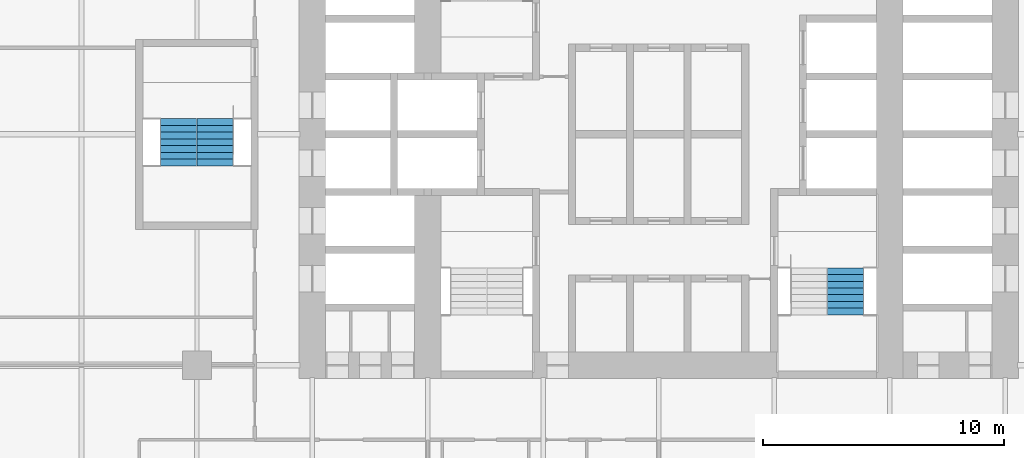
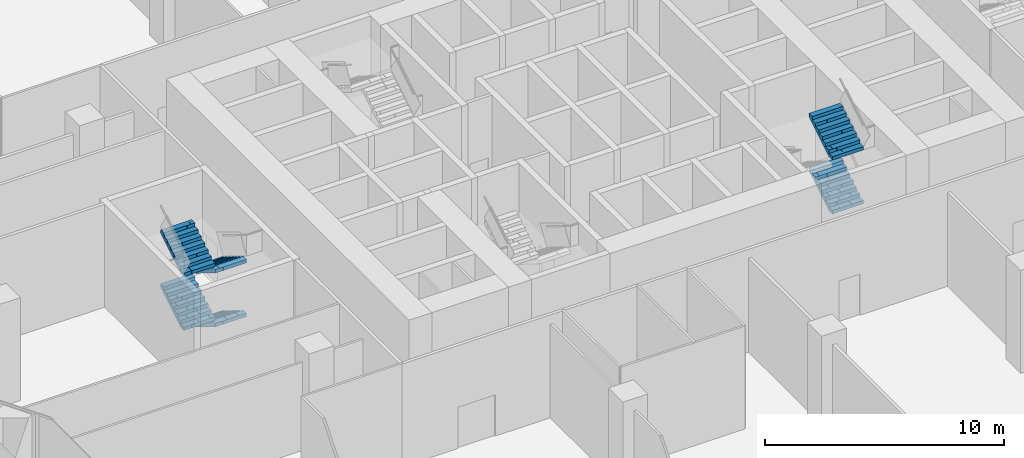
# One storey, part 25 of 30: 6 stair flights, 2 elements without a shape of their own.
"""IFC4 building model written with IfcOpenShell, lengths in metres."""

from ifc_helpers import new_model, si_unit, direction, frame, origin, place, context, subcontext, project, spatial, polyline, outline, extrude, material, type_object, element, aggregate, save


model = new_model("IFC4")

# Units and contexts
model_context = context("Model", 3, precision=1e-05, world=origin(), true_north=direction((0.0, 1.0)))
body_context = subcontext(model_context, "Body", "Model", "MODEL_VIEW")
ifc_project = project(units=[si_unit("LENGTHUNIT", "METRE"), si_unit("AREAUNIT", "SQUARE_METRE"), si_unit("VOLUMEUNIT", "CUBIC_METRE"), si_unit("PLANEANGLEUNIT", "RADIAN"), si_unit("MASSUNIT", "GRAM", prefix="KILO")], contexts=[model_context])

# Site, building, storey
site_placement = place(None, origin())
site = spatial("IfcSite", under=ifc_project, at=site_placement, CompositionType="ELEMENT")
building_placement = place(site_placement, origin())
building = spatial("IfcBuilding", under=site, at=building_placement, Name="Kolab Exchange Tower", CompositionType="ELEMENT")
storey_placement = place(building_placement, frame((0.0, 0.0, 38.89990234375)))
storey = spatial("IfcBuildingStorey", under=building, at=storey_placement, Name="L07", CompositionType="ELEMENT", Elevation=38.89990234375)

# Stair, stair flights
ifc_material = material(Name="Concrete C50/60", Category="concrete")
stair_type_1 = type_object("IfcStairType", Name="STAIR ST2 RISER 171.9", PredefinedType="DOUBLE_RETURN_STAIR", material=ifc_material)
stair_1_placement = place(storey_placement, origin())
stair_1 = element("IfcStair", 1, at=stair_1_placement, inside=storey, type_object=stair_type_1, Name="Stair 2", PredefinedType="DOUBLE_RETURN_STAIR")
stair_flight_type = type_object("IfcStairFlightType", Name="STAIR FLIGHT 1500 RISER 171.9", PredefinedType="STRAIGHT", material=ifc_material)
stair_flight_1_placement = place(storey_placement, frame((7.760009765625, -7.510009765625, 1.375), z_axis=(0.0, 0.0, 1.0), x_axis=(0.0, 1.0, 0.0)))
stair_flight_1 = element("IfcStairFlight", 2, at=stair_flight_1_placement, type_object=stair_flight_type, Name="ST2 flight 2", NumberOfRisers=8, NumberOfTreads=7, PredefinedType="STRAIGHT", RiserHeight=0.171875, TreadLength=0.28, context=body_context, shape_type="SweptSolid", body=[
    extrude(outline(polyline([(0.0, 0.0), (0.0, 0.171875), (0.280029296875, 0.171875), (0.280029296875, 0.34375), (0.56005859375, 0.34375), (0.56005859375, 0.515625), (0.840087890625, 0.515625), (0.840087890625, 0.6875), (1.1201171875, 0.6875), (1.1201171875, 0.859375), (1.39990234375, 0.859375), (1.39990234375, 1.03125), (1.679931640625, 1.03125), (1.679931640625, 1.203125), (1.9599609375, 1.203125), (1.9599609375, 1.375), (1.9599609375, 1.02734375), (0.28662109375, 0.0), (0.0, 0.0)])), frame((0.0, 0.75, 0.0), z_axis=(0.0, -1.0, 0.0), x_axis=(1.0, 0.0, 0.0)), (0.0, 0.0, 1.0), 0.185791015625),
    extrude(outline(polyline([(0.0, 0.0), (0.0, 0.171875), (0.280029296875, 0.171875), (0.280029296875, 0.34375), (0.56005859375, 0.34375), (0.56005859375, 0.515625), (0.840087890625, 0.515625), (0.840087890625, 0.6875), (1.1201171875, 0.6875), (1.1201171875, 0.859375), (1.39990234375, 0.859375), (1.39990234375, 1.03125), (1.679931640625, 1.03125), (1.679931640625, 1.203125), (1.9599609375, 1.203125), (1.9599609375, 1.375), (1.9599609375, 1.02734375), (0.28662109375, 0.0), (0.0, 0.0)])), frame((0.0, 0.562255859375, 0.0), z_axis=(0.0, -1.0, 0.0), x_axis=(1.0, 0.0, 0.0)), (0.0, 0.0, 1.0), 0.185791015625),
    extrude(outline(polyline([(0.0, 0.0), (0.0, 0.171875), (0.280029296875, 0.171875), (0.280029296875, 0.34375), (0.56005859375, 0.34375), (0.56005859375, 0.515625), (0.840087890625, 0.515625), (0.840087890625, 0.6875), (1.1201171875, 0.6875), (1.1201171875, 0.859375), (1.39990234375, 0.859375), (1.39990234375, 1.03125), (1.679931640625, 1.03125), (1.679931640625, 1.203125), (1.9599609375, 1.203125), (1.9599609375, 1.375), (1.9599609375, 1.02734375), (0.28662109375, 0.0), (0.0, 0.0)])), frame((0.0, 0.37451171875, 0.0), z_axis=(0.0, -1.0, 0.0), x_axis=(1.0, 0.0, 0.0)), (0.0, 0.0, 1.0), 0.185791015625),
    extrude(outline(polyline([(0.0, 0.0), (0.0, 0.171875), (0.280029296875, 0.171875), (0.280029296875, 0.34375), (0.56005859375, 0.34375), (0.56005859375, 0.515625), (0.840087890625, 0.515625), (0.840087890625, 0.6875), (1.1201171875, 0.6875), (1.1201171875, 0.859375), (1.39990234375, 0.859375), (1.39990234375, 1.03125), (1.679931640625, 1.03125), (1.679931640625, 1.203125), (1.9599609375, 1.203125), (1.9599609375, 1.375), (1.9599609375, 1.02734375), (0.28662109375, 0.0), (0.0, 0.0)])), frame((0.0, 0.186767578125, 0.0), z_axis=(0.0, -1.0, 0.0), x_axis=(1.0, 0.0, 0.0)), (0.0, 0.0, 1.0), 0.185791015625),
    extrude(outline(polyline([(0.0, 0.0), (0.0, 0.171875), (0.280029296875, 0.171875), (0.280029296875, 0.34375), (0.56005859375, 0.34375), (0.56005859375, 0.515625), (0.840087890625, 0.515625), (0.840087890625, 0.6875), (1.1201171875, 0.6875), (1.1201171875, 0.859375), (1.39990234375, 0.859375), (1.39990234375, 1.03125), (1.679931640625, 1.03125), (1.679931640625, 1.203125), (1.9599609375, 1.203125), (1.9599609375, 1.375), (1.9599609375, 1.02734375), (0.28662109375, 0.0), (0.0, 0.0)])), frame((0.0, -0.0009765625, 0.0), z_axis=(0.0, -1.0, 0.0), x_axis=(1.0, 0.0, 0.0)), (0.0, 0.0, 1.0), 0.185791015625),
    extrude(outline(polyline([(0.0, 0.0), (0.0, 0.171875), (0.280029296875, 0.171875), (0.280029296875, 0.34375), (0.56005859375, 0.34375), (0.56005859375, 0.515625), (0.840087890625, 0.515625), (0.840087890625, 0.6875), (1.1201171875, 0.6875), (1.1201171875, 0.859375), (1.39990234375, 0.859375), (1.39990234375, 1.03125), (1.679931640625, 1.03125), (1.679931640625, 1.203125), (1.9599609375, 1.203125), (1.9599609375, 1.375), (1.9599609375, 1.02734375), (0.28662109375, 0.0), (0.0, 0.0)])), frame((0.0, -0.188720703125, 0.0), z_axis=(0.0, -1.0, 0.0), x_axis=(1.0, 0.0, 0.0)), (0.0, 0.0, 1.0), 0.185791015625),
    extrude(outline(polyline([(0.0, 0.0), (0.0, 0.171875), (0.280029296875, 0.171875), (0.280029296875, 0.34375), (0.56005859375, 0.34375), (0.56005859375, 0.515625), (0.840087890625, 0.515625), (0.840087890625, 0.6875), (1.1201171875, 0.6875), (1.1201171875, 0.859375), (1.39990234375, 0.859375), (1.39990234375, 1.03125), (1.679931640625, 1.03125), (1.679931640625, 1.203125), (1.9599609375, 1.203125), (1.9599609375, 1.375), (1.9599609375, 1.02734375), (0.28662109375, 0.0), (0.0, 0.0)])), frame((0.0, -0.37646484375, 0.0), z_axis=(0.0, -1.0, 0.0), x_axis=(1.0, 0.0, 0.0)), (0.0, 0.0, 1.0), 0.185791015625),
    extrude(outline(polyline([(0.0, 0.0), (0.0, 0.171875), (0.280029296875, 0.171875), (0.280029296875, 0.34375), (0.56005859375, 0.34375), (0.56005859375, 0.515625), (0.840087890625, 0.515625), (0.840087890625, 0.6875), (1.1201171875, 0.6875), (1.1201171875, 0.859375), (1.39990234375, 0.859375), (1.39990234375, 1.03125), (1.679931640625, 1.03125), (1.679931640625, 1.203125), (1.9599609375, 1.203125), (1.9599609375, 1.375), (1.9599609375, 1.02734375), (0.28662109375, 0.0), (0.0, 0.0)])), frame((0.0, -0.564208984375, 0.0), z_axis=(0.0, -1.0, 0.0), x_axis=(1.0, 0.0, 0.0)), (0.0, 0.0, 1.0), 0.185791015625),
])
stair_flight_2_placement = place(storey_placement, frame((7.760009765625, -7.510009765625, 4.125), z_axis=(0.0, 0.0, 1.0), x_axis=(0.0, 1.0, 0.0)))
stair_flight_2 = element("IfcStairFlight", 3, at=stair_flight_2_placement, type_object=stair_flight_type, Name="ST2 flight 4", NumberOfRisers=8, NumberOfTreads=7, PredefinedType="STRAIGHT", RiserHeight=0.171875, TreadLength=0.28, context=body_context, shape_type="SweptSolid", body=[
    extrude(outline(polyline([(0.0, 0.0), (0.0, 0.171875), (0.280029296875, 0.171875), (0.280029296875, 0.34375), (0.56005859375, 0.34375), (0.56005859375, 0.515625), (0.840087890625, 0.515625), (0.840087890625, 0.6875), (1.1201171875, 0.6875), (1.1201171875, 0.859375), (1.39990234375, 0.859375), (1.39990234375, 1.03125), (1.679931640625, 1.03125), (1.679931640625, 1.203125), (1.9599609375, 1.203125), (1.9599609375, 1.375), (1.9599609375, 1.02734375), (0.28662109375, 0.0), (0.0, 0.0)])), frame((0.0, 0.75, 0.0), z_axis=(0.0, -1.0, 0.0), x_axis=(1.0, 0.0, 0.0)), (0.0, 0.0, 1.0), 0.185791015625),
    extrude(outline(polyline([(0.0, 0.0), (0.0, 0.171875), (0.280029296875, 0.171875), (0.280029296875, 0.34375), (0.56005859375, 0.34375), (0.56005859375, 0.515625), (0.840087890625, 0.515625), (0.840087890625, 0.6875), (1.1201171875, 0.6875), (1.1201171875, 0.859375), (1.39990234375, 0.859375), (1.39990234375, 1.03125), (1.679931640625, 1.03125), (1.679931640625, 1.203125), (1.9599609375, 1.203125), (1.9599609375, 1.375), (1.9599609375, 1.02734375), (0.28662109375, 0.0), (0.0, 0.0)])), frame((0.0, 0.562255859375, 0.0), z_axis=(0.0, -1.0, 0.0), x_axis=(1.0, 0.0, 0.0)), (0.0, 0.0, 1.0), 0.185791015625),
    extrude(outline(polyline([(0.0, 0.0), (0.0, 0.171875), (0.280029296875, 0.171875), (0.280029296875, 0.34375), (0.56005859375, 0.34375), (0.56005859375, 0.515625), (0.840087890625, 0.515625), (0.840087890625, 0.6875), (1.1201171875, 0.6875), (1.1201171875, 0.859375), (1.39990234375, 0.859375), (1.39990234375, 1.03125), (1.679931640625, 1.03125), (1.679931640625, 1.203125), (1.9599609375, 1.203125), (1.9599609375, 1.375), (1.9599609375, 1.02734375), (0.28662109375, 0.0), (0.0, 0.0)])), frame((0.0, 0.37451171875, 0.0), z_axis=(0.0, -1.0, 0.0), x_axis=(1.0, 0.0, 0.0)), (0.0, 0.0, 1.0), 0.185791015625),
    extrude(outline(polyline([(0.0, 0.0), (0.0, 0.171875), (0.280029296875, 0.171875), (0.280029296875, 0.34375), (0.56005859375, 0.34375), (0.56005859375, 0.515625), (0.840087890625, 0.515625), (0.840087890625, 0.6875), (1.1201171875, 0.6875), (1.1201171875, 0.859375), (1.39990234375, 0.859375), (1.39990234375, 1.03125), (1.679931640625, 1.03125), (1.679931640625, 1.203125), (1.9599609375, 1.203125), (1.9599609375, 1.375), (1.9599609375, 1.02734375), (0.28662109375, 0.0), (0.0, 0.0)])), frame((0.0, 0.186767578125, 0.0), z_axis=(0.0, -1.0, 0.0), x_axis=(1.0, 0.0, 0.0)), (0.0, 0.0, 1.0), 0.185791015625),
    extrude(outline(polyline([(0.0, 0.0), (0.0, 0.171875), (0.280029296875, 0.171875), (0.280029296875, 0.34375), (0.56005859375, 0.34375), (0.56005859375, 0.515625), (0.840087890625, 0.515625), (0.840087890625, 0.6875), (1.1201171875, 0.6875), (1.1201171875, 0.859375), (1.39990234375, 0.859375), (1.39990234375, 1.03125), (1.679931640625, 1.03125), (1.679931640625, 1.203125), (1.9599609375, 1.203125), (1.9599609375, 1.375), (1.9599609375, 1.02734375), (0.28662109375, 0.0), (0.0, 0.0)])), frame((0.0, -0.0009765625, 0.0), z_axis=(0.0, -1.0, 0.0), x_axis=(1.0, 0.0, 0.0)), (0.0, 0.0, 1.0), 0.185791015625),
    extrude(outline(polyline([(0.0, 0.0), (0.0, 0.171875), (0.280029296875, 0.171875), (0.280029296875, 0.34375), (0.56005859375, 0.34375), (0.56005859375, 0.515625), (0.840087890625, 0.515625), (0.840087890625, 0.6875), (1.1201171875, 0.6875), (1.1201171875, 0.859375), (1.39990234375, 0.859375), (1.39990234375, 1.03125), (1.679931640625, 1.03125), (1.679931640625, 1.203125), (1.9599609375, 1.203125), (1.9599609375, 1.375), (1.9599609375, 1.02734375), (0.28662109375, 0.0), (0.0, 0.0)])), frame((0.0, -0.188720703125, 0.0), z_axis=(0.0, -1.0, 0.0), x_axis=(1.0, 0.0, 0.0)), (0.0, 0.0, 1.0), 0.185791015625),
    extrude(outline(polyline([(0.0, 0.0), (0.0, 0.171875), (0.280029296875, 0.171875), (0.280029296875, 0.34375), (0.56005859375, 0.34375), (0.56005859375, 0.515625), (0.840087890625, 0.515625), (0.840087890625, 0.6875), (1.1201171875, 0.6875), (1.1201171875, 0.859375), (1.39990234375, 0.859375), (1.39990234375, 1.03125), (1.679931640625, 1.03125), (1.679931640625, 1.203125), (1.9599609375, 1.203125), (1.9599609375, 1.375), (1.9599609375, 1.02734375), (0.28662109375, 0.0), (0.0, 0.0)])), frame((0.0, -0.37646484375, 0.0), z_axis=(0.0, -1.0, 0.0), x_axis=(1.0, 0.0, 0.0)), (0.0, 0.0, 1.0), 0.185791015625),
    extrude(outline(polyline([(0.0, 0.0), (0.0, 0.171875), (0.280029296875, 0.171875), (0.280029296875, 0.34375), (0.56005859375, 0.34375), (0.56005859375, 0.515625), (0.840087890625, 0.515625), (0.840087890625, 0.6875), (1.1201171875, 0.6875), (1.1201171875, 0.859375), (1.39990234375, 0.859375), (1.39990234375, 1.03125), (1.679931640625, 1.03125), (1.679931640625, 1.203125), (1.9599609375, 1.203125), (1.9599609375, 1.375), (1.9599609375, 1.02734375), (0.28662109375, 0.0), (0.0, 0.0)])), frame((0.0, -0.564208984375, 0.0), z_axis=(0.0, -1.0, 0.0), x_axis=(1.0, 0.0, 0.0)), (0.0, 0.0, 1.0), 0.185791015625),
])
aggregate(stair_1, [stair_flight_1, stair_flight_2])

stair_type_2 = type_object("IfcStairType", Name="STAIR ST5 RISER 171.9", PredefinedType="DOUBLE_RETURN_STAIR", material=ifc_material)
stair_2_placement = place(storey_placement, origin())
stair_2 = element("IfcStair", 4, at=stair_2_placement, inside=storey, type_object=stair_type_2, Name="Stair 5", PredefinedType="DOUBLE_RETURN_STAIR")
stair_flight_3_placement = place(storey_placement, frame((-18.43994140625, 0.64990234375, 0.0), z_axis=(0.0, 0.0, 1.0), x_axis=(0.0, -1.0, 0.0)))
stair_flight_3 = element("IfcStairFlight", 5, at=stair_flight_3_placement, type_object=stair_flight_type, Name="ST5 flight 1", NumberOfRisers=8, NumberOfTreads=7, PredefinedType="STRAIGHT", RiserHeight=0.171875, TreadLength=0.28, context=body_context, shape_type="SweptSolid", body=[
    extrude(outline(polyline([(0.0, 0.0), (0.0, 0.171875), (0.280029296875, 0.171875), (0.280029296875, 0.34375), (0.56005859375, 0.34375), (0.56005859375, 0.515625), (0.840087890625, 0.515625), (0.840087890625, 0.6875), (1.1201171875, 0.6875), (1.1201171875, 0.859375), (1.39990234375, 0.859375), (1.39990234375, 1.03125), (1.679931640625, 1.03125), (1.679931640625, 1.203125), (1.9599609375, 1.203125), (1.9599609375, 1.375), (1.9599609375, 1.02734375), (0.28662109375, 0.0), (0.0, 0.0)])), frame((0.0, 0.75, 0.0), z_axis=(0.0, -1.0, 0.0), x_axis=(1.0, 0.0, 0.0)), (0.0, 0.0, 1.0), 0.185791015625),
    extrude(outline(polyline([(0.0, 0.0), (0.0, 0.171875), (0.280029296875, 0.171875), (0.280029296875, 0.34375), (0.56005859375, 0.34375), (0.56005859375, 0.515625), (0.840087890625, 0.515625), (0.840087890625, 0.6875), (1.1201171875, 0.6875), (1.1201171875, 0.859375), (1.39990234375, 0.859375), (1.39990234375, 1.03125), (1.679931640625, 1.03125), (1.679931640625, 1.203125), (1.9599609375, 1.203125), (1.9599609375, 1.375), (1.9599609375, 1.02734375), (0.28662109375, 0.0), (0.0, 0.0)])), frame((0.0, 0.562255859375, 0.0), z_axis=(0.0, -1.0, 0.0), x_axis=(1.0, 0.0, 0.0)), (0.0, 0.0, 1.0), 0.185791015625),
    extrude(outline(polyline([(0.0, 0.0), (0.0, 0.171875), (0.280029296875, 0.171875), (0.280029296875, 0.34375), (0.56005859375, 0.34375), (0.56005859375, 0.515625), (0.840087890625, 0.515625), (0.840087890625, 0.6875), (1.1201171875, 0.6875), (1.1201171875, 0.859375), (1.39990234375, 0.859375), (1.39990234375, 1.03125), (1.679931640625, 1.03125), (1.679931640625, 1.203125), (1.9599609375, 1.203125), (1.9599609375, 1.375), (1.9599609375, 1.02734375), (0.28662109375, 0.0), (0.0, 0.0)])), frame((0.0, 0.37451171875, 0.0), z_axis=(0.0, -1.0, 0.0), x_axis=(1.0, 0.0, 0.0)), (0.0, 0.0, 1.0), 0.185791015625),
    extrude(outline(polyline([(0.0, 0.0), (0.0, 0.171875), (0.280029296875, 0.171875), (0.280029296875, 0.34375), (0.56005859375, 0.34375), (0.56005859375, 0.515625), (0.840087890625, 0.515625), (0.840087890625, 0.6875), (1.1201171875, 0.6875), (1.1201171875, 0.859375), (1.39990234375, 0.859375), (1.39990234375, 1.03125), (1.679931640625, 1.03125), (1.679931640625, 1.203125), (1.9599609375, 1.203125), (1.9599609375, 1.375), (1.9599609375, 1.02734375), (0.28662109375, 0.0), (0.0, 0.0)])), frame((0.0, 0.186767578125, 0.0), z_axis=(0.0, -1.0, 0.0), x_axis=(1.0, 0.0, 0.0)), (0.0, 0.0, 1.0), 0.185791015625),
    extrude(outline(polyline([(0.0, 0.0), (0.0, 0.171875), (0.280029296875, 0.171875), (0.280029296875, 0.34375), (0.56005859375, 0.34375), (0.56005859375, 0.515625), (0.840087890625, 0.515625), (0.840087890625, 0.6875), (1.1201171875, 0.6875), (1.1201171875, 0.859375), (1.39990234375, 0.859375), (1.39990234375, 1.03125), (1.679931640625, 1.03125), (1.679931640625, 1.203125), (1.9599609375, 1.203125), (1.9599609375, 1.375), (1.9599609375, 1.02734375), (0.28662109375, 0.0), (0.0, 0.0)])), frame((0.0, -0.0009765625, 0.0), z_axis=(0.0, -1.0, 0.0), x_axis=(1.0, 0.0, 0.0)), (0.0, 0.0, 1.0), 0.185791015625),
    extrude(outline(polyline([(0.0, 0.0), (0.0, 0.171875), (0.280029296875, 0.171875), (0.280029296875, 0.34375), (0.56005859375, 0.34375), (0.56005859375, 0.515625), (0.840087890625, 0.515625), (0.840087890625, 0.6875), (1.1201171875, 0.6875), (1.1201171875, 0.859375), (1.39990234375, 0.859375), (1.39990234375, 1.03125), (1.679931640625, 1.03125), (1.679931640625, 1.203125), (1.9599609375, 1.203125), (1.9599609375, 1.375), (1.9599609375, 1.02734375), (0.28662109375, 0.0), (0.0, 0.0)])), frame((0.0, -0.188720703125, 0.0), z_axis=(0.0, -1.0, 0.0), x_axis=(1.0, 0.0, 0.0)), (0.0, 0.0, 1.0), 0.185791015625),
    extrude(outline(polyline([(0.0, 0.0), (0.0, 0.171875), (0.280029296875, 0.171875), (0.280029296875, 0.34375), (0.56005859375, 0.34375), (0.56005859375, 0.515625), (0.840087890625, 0.515625), (0.840087890625, 0.6875), (1.1201171875, 0.6875), (1.1201171875, 0.859375), (1.39990234375, 0.859375), (1.39990234375, 1.03125), (1.679931640625, 1.03125), (1.679931640625, 1.203125), (1.9599609375, 1.203125), (1.9599609375, 1.375), (1.9599609375, 1.02734375), (0.28662109375, 0.0), (0.0, 0.0)])), frame((0.0, -0.37646484375, 0.0), z_axis=(0.0, -1.0, 0.0), x_axis=(1.0, 0.0, 0.0)), (0.0, 0.0, 1.0), 0.185791015625),
    extrude(outline(polyline([(0.0, 0.0), (0.0, 0.171875), (0.280029296875, 0.171875), (0.280029296875, 0.34375), (0.56005859375, 0.34375), (0.56005859375, 0.515625), (0.840087890625, 0.515625), (0.840087890625, 0.6875), (1.1201171875, 0.6875), (1.1201171875, 0.859375), (1.39990234375, 0.859375), (1.39990234375, 1.03125), (1.679931640625, 1.03125), (1.679931640625, 1.203125), (1.9599609375, 1.203125), (1.9599609375, 1.375), (1.9599609375, 1.02734375), (0.28662109375, 0.0), (0.0, 0.0)])), frame((0.0, -0.564208984375, 0.0), z_axis=(0.0, -1.0, 0.0), x_axis=(1.0, 0.0, 0.0)), (0.0, 0.0, 1.0), 0.185791015625),
])
stair_flight_4_placement = place(storey_placement, frame((-19.9599609375, -1.31005859375, 1.375), z_axis=(0.0, 0.0, 1.0), x_axis=(0.0, 1.0, 0.0)))
stair_flight_4 = element("IfcStairFlight", 6, at=stair_flight_4_placement, type_object=stair_flight_type, Name="ST5 flight 2", NumberOfRisers=8, NumberOfTreads=7, PredefinedType="STRAIGHT", RiserHeight=0.171875, TreadLength=0.28, context=body_context, shape_type="SweptSolid", body=[
    extrude(outline(polyline([(0.0, 0.0), (0.0, 0.171875), (0.280029296875, 0.171875), (0.280029296875, 0.34375), (0.56005859375, 0.34375), (0.56005859375, 0.515625), (0.840087890625, 0.515625), (0.840087890625, 0.6875), (1.1201171875, 0.6875), (1.1201171875, 0.859375), (1.39990234375, 0.859375), (1.39990234375, 1.03125), (1.679931640625, 1.03125), (1.679931640625, 1.203125), (1.9599609375, 1.203125), (1.9599609375, 1.375), (1.9599609375, 1.02734375), (0.28662109375, 0.0), (0.0, 0.0)])), frame((0.0, 0.75, 0.0), z_axis=(0.0, -1.0, 0.0), x_axis=(1.0, 0.0, 0.0)), (0.0, 0.0, 1.0), 0.185791015625),
    extrude(outline(polyline([(0.0, 0.0), (0.0, 0.171875), (0.280029296875, 0.171875), (0.280029296875, 0.34375), (0.56005859375, 0.34375), (0.56005859375, 0.515625), (0.840087890625, 0.515625), (0.840087890625, 0.6875), (1.1201171875, 0.6875), (1.1201171875, 0.859375), (1.39990234375, 0.859375), (1.39990234375, 1.03125), (1.679931640625, 1.03125), (1.679931640625, 1.203125), (1.9599609375, 1.203125), (1.9599609375, 1.375), (1.9599609375, 1.02734375), (0.28662109375, 0.0), (0.0, 0.0)])), frame((0.0, 0.562255859375, 0.0), z_axis=(0.0, -1.0, 0.0), x_axis=(1.0, 0.0, 0.0)), (0.0, 0.0, 1.0), 0.185791015625),
    extrude(outline(polyline([(0.0, 0.0), (0.0, 0.171875), (0.280029296875, 0.171875), (0.280029296875, 0.34375), (0.56005859375, 0.34375), (0.56005859375, 0.515625), (0.840087890625, 0.515625), (0.840087890625, 0.6875), (1.1201171875, 0.6875), (1.1201171875, 0.859375), (1.39990234375, 0.859375), (1.39990234375, 1.03125), (1.679931640625, 1.03125), (1.679931640625, 1.203125), (1.9599609375, 1.203125), (1.9599609375, 1.375), (1.9599609375, 1.02734375), (0.28662109375, 0.0), (0.0, 0.0)])), frame((0.0, 0.37451171875, 0.0), z_axis=(0.0, -1.0, 0.0), x_axis=(1.0, 0.0, 0.0)), (0.0, 0.0, 1.0), 0.185791015625),
    extrude(outline(polyline([(0.0, 0.0), (0.0, 0.171875), (0.280029296875, 0.171875), (0.280029296875, 0.34375), (0.56005859375, 0.34375), (0.56005859375, 0.515625), (0.840087890625, 0.515625), (0.840087890625, 0.6875), (1.1201171875, 0.6875), (1.1201171875, 0.859375), (1.39990234375, 0.859375), (1.39990234375, 1.03125), (1.679931640625, 1.03125), (1.679931640625, 1.203125), (1.9599609375, 1.203125), (1.9599609375, 1.375), (1.9599609375, 1.02734375), (0.28662109375, 0.0), (0.0, 0.0)])), frame((0.0, 0.186767578125, 0.0), z_axis=(0.0, -1.0, 0.0), x_axis=(1.0, 0.0, 0.0)), (0.0, 0.0, 1.0), 0.185791015625),
    extrude(outline(polyline([(0.0, 0.0), (0.0, 0.171875), (0.280029296875, 0.171875), (0.280029296875, 0.34375), (0.56005859375, 0.34375), (0.56005859375, 0.515625), (0.840087890625, 0.515625), (0.840087890625, 0.6875), (1.1201171875, 0.6875), (1.1201171875, 0.859375), (1.39990234375, 0.859375), (1.39990234375, 1.03125), (1.679931640625, 1.03125), (1.679931640625, 1.203125), (1.9599609375, 1.203125), (1.9599609375, 1.375), (1.9599609375, 1.02734375), (0.28662109375, 0.0), (0.0, 0.0)])), frame((0.0, -0.0009765625, 0.0), z_axis=(0.0, -1.0, 0.0), x_axis=(1.0, 0.0, 0.0)), (0.0, 0.0, 1.0), 0.185791015625),
    extrude(outline(polyline([(0.0, 0.0), (0.0, 0.171875), (0.280029296875, 0.171875), (0.280029296875, 0.34375), (0.56005859375, 0.34375), (0.56005859375, 0.515625), (0.840087890625, 0.515625), (0.840087890625, 0.6875), (1.1201171875, 0.6875), (1.1201171875, 0.859375), (1.39990234375, 0.859375), (1.39990234375, 1.03125), (1.679931640625, 1.03125), (1.679931640625, 1.203125), (1.9599609375, 1.203125), (1.9599609375, 1.375), (1.9599609375, 1.02734375), (0.28662109375, 0.0), (0.0, 0.0)])), frame((0.0, -0.188720703125, 0.0), z_axis=(0.0, -1.0, 0.0), x_axis=(1.0, 0.0, 0.0)), (0.0, 0.0, 1.0), 0.185791015625),
    extrude(outline(polyline([(0.0, 0.0), (0.0, 0.171875), (0.280029296875, 0.171875), (0.280029296875, 0.34375), (0.56005859375, 0.34375), (0.56005859375, 0.515625), (0.840087890625, 0.515625), (0.840087890625, 0.6875), (1.1201171875, 0.6875), (1.1201171875, 0.859375), (1.39990234375, 0.859375), (1.39990234375, 1.03125), (1.679931640625, 1.03125), (1.679931640625, 1.203125), (1.9599609375, 1.203125), (1.9599609375, 1.375), (1.9599609375, 1.02734375), (0.28662109375, 0.0), (0.0, 0.0)])), frame((0.0, -0.37646484375, 0.0), z_axis=(0.0, -1.0, 0.0), x_axis=(1.0, 0.0, 0.0)), (0.0, 0.0, 1.0), 0.185791015625),
    extrude(outline(polyline([(0.0, 0.0), (0.0, 0.171875), (0.280029296875, 0.171875), (0.280029296875, 0.34375), (0.56005859375, 0.34375), (0.56005859375, 0.515625), (0.840087890625, 0.515625), (0.840087890625, 0.6875), (1.1201171875, 0.6875), (1.1201171875, 0.859375), (1.39990234375, 0.859375), (1.39990234375, 1.03125), (1.679931640625, 1.03125), (1.679931640625, 1.203125), (1.9599609375, 1.203125), (1.9599609375, 1.375), (1.9599609375, 1.02734375), (0.28662109375, 0.0), (0.0, 0.0)])), frame((0.0, -0.564208984375, 0.0), z_axis=(0.0, -1.0, 0.0), x_axis=(1.0, 0.0, 0.0)), (0.0, 0.0, 1.0), 0.185791015625),
])
stair_flight_5_placement = place(storey_placement, frame((-18.43994140625, 0.64990234375, 2.75), z_axis=(0.0, 0.0, 1.0), x_axis=(0.0, -1.0, 0.0)))
stair_flight_5 = element("IfcStairFlight", 7, at=stair_flight_5_placement, type_object=stair_flight_type, Name="ST5 flight 3", NumberOfRisers=8, NumberOfTreads=7, PredefinedType="STRAIGHT", RiserHeight=0.171875, TreadLength=0.28, context=body_context, shape_type="SweptSolid", body=[
    extrude(outline(polyline([(0.0, 0.0), (0.0, 0.171875), (0.280029296875, 0.171875), (0.280029296875, 0.34375), (0.56005859375, 0.34375), (0.56005859375, 0.515625), (0.840087890625, 0.515625), (0.840087890625, 0.6875), (1.1201171875, 0.6875), (1.1201171875, 0.859375), (1.39990234375, 0.859375), (1.39990234375, 1.03125), (1.679931640625, 1.03125), (1.679931640625, 1.203125), (1.9599609375, 1.203125), (1.9599609375, 1.375), (1.9599609375, 1.02734375), (0.28662109375, 0.0), (0.0, 0.0)])), frame((0.0, 0.75, 0.0), z_axis=(0.0, -1.0, 0.0), x_axis=(1.0, 0.0, 0.0)), (0.0, 0.0, 1.0), 0.185791015625),
    extrude(outline(polyline([(0.0, 0.0), (0.0, 0.171875), (0.280029296875, 0.171875), (0.280029296875, 0.34375), (0.56005859375, 0.34375), (0.56005859375, 0.515625), (0.840087890625, 0.515625), (0.840087890625, 0.6875), (1.1201171875, 0.6875), (1.1201171875, 0.859375), (1.39990234375, 0.859375), (1.39990234375, 1.03125), (1.679931640625, 1.03125), (1.679931640625, 1.203125), (1.9599609375, 1.203125), (1.9599609375, 1.375), (1.9599609375, 1.02734375), (0.28662109375, 0.0), (0.0, 0.0)])), frame((0.0, 0.562255859375, 0.0), z_axis=(0.0, -1.0, 0.0), x_axis=(1.0, 0.0, 0.0)), (0.0, 0.0, 1.0), 0.185791015625),
    extrude(outline(polyline([(0.0, 0.0), (0.0, 0.171875), (0.280029296875, 0.171875), (0.280029296875, 0.34375), (0.56005859375, 0.34375), (0.56005859375, 0.515625), (0.840087890625, 0.515625), (0.840087890625, 0.6875), (1.1201171875, 0.6875), (1.1201171875, 0.859375), (1.39990234375, 0.859375), (1.39990234375, 1.03125), (1.679931640625, 1.03125), (1.679931640625, 1.203125), (1.9599609375, 1.203125), (1.9599609375, 1.375), (1.9599609375, 1.02734375), (0.28662109375, 0.0), (0.0, 0.0)])), frame((0.0, 0.37451171875, 0.0), z_axis=(0.0, -1.0, 0.0), x_axis=(1.0, 0.0, 0.0)), (0.0, 0.0, 1.0), 0.185791015625),
    extrude(outline(polyline([(0.0, 0.0), (0.0, 0.171875), (0.280029296875, 0.171875), (0.280029296875, 0.34375), (0.56005859375, 0.34375), (0.56005859375, 0.515625), (0.840087890625, 0.515625), (0.840087890625, 0.6875), (1.1201171875, 0.6875), (1.1201171875, 0.859375), (1.39990234375, 0.859375), (1.39990234375, 1.03125), (1.679931640625, 1.03125), (1.679931640625, 1.203125), (1.9599609375, 1.203125), (1.9599609375, 1.375), (1.9599609375, 1.02734375), (0.28662109375, 0.0), (0.0, 0.0)])), frame((0.0, 0.186767578125, 0.0), z_axis=(0.0, -1.0, 0.0), x_axis=(1.0, 0.0, 0.0)), (0.0, 0.0, 1.0), 0.185791015625),
    extrude(outline(polyline([(0.0, 0.0), (0.0, 0.171875), (0.280029296875, 0.171875), (0.280029296875, 0.34375), (0.56005859375, 0.34375), (0.56005859375, 0.515625), (0.840087890625, 0.515625), (0.840087890625, 0.6875), (1.1201171875, 0.6875), (1.1201171875, 0.859375), (1.39990234375, 0.859375), (1.39990234375, 1.03125), (1.679931640625, 1.03125), (1.679931640625, 1.203125), (1.9599609375, 1.203125), (1.9599609375, 1.375), (1.9599609375, 1.02734375), (0.28662109375, 0.0), (0.0, 0.0)])), frame((0.0, -0.0009765625, 0.0), z_axis=(0.0, -1.0, 0.0), x_axis=(1.0, 0.0, 0.0)), (0.0, 0.0, 1.0), 0.185791015625),
    extrude(outline(polyline([(0.0, 0.0), (0.0, 0.171875), (0.280029296875, 0.171875), (0.280029296875, 0.34375), (0.56005859375, 0.34375), (0.56005859375, 0.515625), (0.840087890625, 0.515625), (0.840087890625, 0.6875), (1.1201171875, 0.6875), (1.1201171875, 0.859375), (1.39990234375, 0.859375), (1.39990234375, 1.03125), (1.679931640625, 1.03125), (1.679931640625, 1.203125), (1.9599609375, 1.203125), (1.9599609375, 1.375), (1.9599609375, 1.02734375), (0.28662109375, 0.0), (0.0, 0.0)])), frame((0.0, -0.188720703125, 0.0), z_axis=(0.0, -1.0, 0.0), x_axis=(1.0, 0.0, 0.0)), (0.0, 0.0, 1.0), 0.185791015625),
    extrude(outline(polyline([(0.0, 0.0), (0.0, 0.171875), (0.280029296875, 0.171875), (0.280029296875, 0.34375), (0.56005859375, 0.34375), (0.56005859375, 0.515625), (0.840087890625, 0.515625), (0.840087890625, 0.6875), (1.1201171875, 0.6875), (1.1201171875, 0.859375), (1.39990234375, 0.859375), (1.39990234375, 1.03125), (1.679931640625, 1.03125), (1.679931640625, 1.203125), (1.9599609375, 1.203125), (1.9599609375, 1.375), (1.9599609375, 1.02734375), (0.28662109375, 0.0), (0.0, 0.0)])), frame((0.0, -0.37646484375, 0.0), z_axis=(0.0, -1.0, 0.0), x_axis=(1.0, 0.0, 0.0)), (0.0, 0.0, 1.0), 0.185791015625),
    extrude(outline(polyline([(0.0, 0.0), (0.0, 0.171875), (0.280029296875, 0.171875), (0.280029296875, 0.34375), (0.56005859375, 0.34375), (0.56005859375, 0.515625), (0.840087890625, 0.515625), (0.840087890625, 0.6875), (1.1201171875, 0.6875), (1.1201171875, 0.859375), (1.39990234375, 0.859375), (1.39990234375, 1.03125), (1.679931640625, 1.03125), (1.679931640625, 1.203125), (1.9599609375, 1.203125), (1.9599609375, 1.375), (1.9599609375, 1.02734375), (0.28662109375, 0.0), (0.0, 0.0)])), frame((0.0, -0.564208984375, 0.0), z_axis=(0.0, -1.0, 0.0), x_axis=(1.0, 0.0, 0.0)), (0.0, 0.0, 1.0), 0.185791015625),
])
stair_flight_6_placement = place(storey_placement, frame((-19.9599609375, -1.31005859375, 4.125), z_axis=(0.0, 0.0, 1.0), x_axis=(0.0, 1.0, 0.0)))
stair_flight_6 = element("IfcStairFlight", 8, at=stair_flight_6_placement, type_object=stair_flight_type, Name="ST5 flight 4", NumberOfRisers=8, NumberOfTreads=7, PredefinedType="STRAIGHT", RiserHeight=0.171875, TreadLength=0.28, context=body_context, shape_type="SweptSolid", body=[
    extrude(outline(polyline([(0.0, 0.0), (0.0, 0.171875), (0.280029296875, 0.171875), (0.280029296875, 0.34375), (0.56005859375, 0.34375), (0.56005859375, 0.515625), (0.840087890625, 0.515625), (0.840087890625, 0.6875), (1.1201171875, 0.6875), (1.1201171875, 0.859375), (1.39990234375, 0.859375), (1.39990234375, 1.03125), (1.679931640625, 1.03125), (1.679931640625, 1.203125), (1.9599609375, 1.203125), (1.9599609375, 1.375), (1.9599609375, 1.02734375), (0.28662109375, 0.0), (0.0, 0.0)])), frame((0.0, 0.75, 0.0), z_axis=(0.0, -1.0, 0.0), x_axis=(1.0, 0.0, 0.0)), (0.0, 0.0, 1.0), 0.185791015625),
    extrude(outline(polyline([(0.0, 0.0), (0.0, 0.171875), (0.280029296875, 0.171875), (0.280029296875, 0.34375), (0.56005859375, 0.34375), (0.56005859375, 0.515625), (0.840087890625, 0.515625), (0.840087890625, 0.6875), (1.1201171875, 0.6875), (1.1201171875, 0.859375), (1.39990234375, 0.859375), (1.39990234375, 1.03125), (1.679931640625, 1.03125), (1.679931640625, 1.203125), (1.9599609375, 1.203125), (1.9599609375, 1.375), (1.9599609375, 1.02734375), (0.28662109375, 0.0), (0.0, 0.0)])), frame((0.0, 0.562255859375, 0.0), z_axis=(0.0, -1.0, 0.0), x_axis=(1.0, 0.0, 0.0)), (0.0, 0.0, 1.0), 0.185791015625),
    extrude(outline(polyline([(0.0, 0.0), (0.0, 0.171875), (0.280029296875, 0.171875), (0.280029296875, 0.34375), (0.56005859375, 0.34375), (0.56005859375, 0.515625), (0.840087890625, 0.515625), (0.840087890625, 0.6875), (1.1201171875, 0.6875), (1.1201171875, 0.859375), (1.39990234375, 0.859375), (1.39990234375, 1.03125), (1.679931640625, 1.03125), (1.679931640625, 1.203125), (1.9599609375, 1.203125), (1.9599609375, 1.375), (1.9599609375, 1.02734375), (0.28662109375, 0.0), (0.0, 0.0)])), frame((0.0, 0.37451171875, 0.0), z_axis=(0.0, -1.0, 0.0), x_axis=(1.0, 0.0, 0.0)), (0.0, 0.0, 1.0), 0.185791015625),
    extrude(outline(polyline([(0.0, 0.0), (0.0, 0.171875), (0.280029296875, 0.171875), (0.280029296875, 0.34375), (0.56005859375, 0.34375), (0.56005859375, 0.515625), (0.840087890625, 0.515625), (0.840087890625, 0.6875), (1.1201171875, 0.6875), (1.1201171875, 0.859375), (1.39990234375, 0.859375), (1.39990234375, 1.03125), (1.679931640625, 1.03125), (1.679931640625, 1.203125), (1.9599609375, 1.203125), (1.9599609375, 1.375), (1.9599609375, 1.02734375), (0.28662109375, 0.0), (0.0, 0.0)])), frame((0.0, 0.186767578125, 0.0), z_axis=(0.0, -1.0, 0.0), x_axis=(1.0, 0.0, 0.0)), (0.0, 0.0, 1.0), 0.185791015625),
    extrude(outline(polyline([(0.0, 0.0), (0.0, 0.171875), (0.280029296875, 0.171875), (0.280029296875, 0.34375), (0.56005859375, 0.34375), (0.56005859375, 0.515625), (0.840087890625, 0.515625), (0.840087890625, 0.6875), (1.1201171875, 0.6875), (1.1201171875, 0.859375), (1.39990234375, 0.859375), (1.39990234375, 1.03125), (1.679931640625, 1.03125), (1.679931640625, 1.203125), (1.9599609375, 1.203125), (1.9599609375, 1.375), (1.9599609375, 1.02734375), (0.28662109375, 0.0), (0.0, 0.0)])), frame((0.0, -0.0009765625, 0.0), z_axis=(0.0, -1.0, 0.0), x_axis=(1.0, 0.0, 0.0)), (0.0, 0.0, 1.0), 0.185791015625),
    extrude(outline(polyline([(0.0, 0.0), (0.0, 0.171875), (0.280029296875, 0.171875), (0.280029296875, 0.34375), (0.56005859375, 0.34375), (0.56005859375, 0.515625), (0.840087890625, 0.515625), (0.840087890625, 0.6875), (1.1201171875, 0.6875), (1.1201171875, 0.859375), (1.39990234375, 0.859375), (1.39990234375, 1.03125), (1.679931640625, 1.03125), (1.679931640625, 1.203125), (1.9599609375, 1.203125), (1.9599609375, 1.375), (1.9599609375, 1.02734375), (0.28662109375, 0.0), (0.0, 0.0)])), frame((0.0, -0.188720703125, 0.0), z_axis=(0.0, -1.0, 0.0), x_axis=(1.0, 0.0, 0.0)), (0.0, 0.0, 1.0), 0.185791015625),
    extrude(outline(polyline([(0.0, 0.0), (0.0, 0.171875), (0.280029296875, 0.171875), (0.280029296875, 0.34375), (0.56005859375, 0.34375), (0.56005859375, 0.515625), (0.840087890625, 0.515625), (0.840087890625, 0.6875), (1.1201171875, 0.6875), (1.1201171875, 0.859375), (1.39990234375, 0.859375), (1.39990234375, 1.03125), (1.679931640625, 1.03125), (1.679931640625, 1.203125), (1.9599609375, 1.203125), (1.9599609375, 1.375), (1.9599609375, 1.02734375), (0.28662109375, 0.0), (0.0, 0.0)])), frame((0.0, -0.37646484375, 0.0), z_axis=(0.0, -1.0, 0.0), x_axis=(1.0, 0.0, 0.0)), (0.0, 0.0, 1.0), 0.185791015625),
    extrude(outline(polyline([(0.0, 0.0), (0.0, 0.171875), (0.280029296875, 0.171875), (0.280029296875, 0.34375), (0.56005859375, 0.34375), (0.56005859375, 0.515625), (0.840087890625, 0.515625), (0.840087890625, 0.6875), (1.1201171875, 0.6875), (1.1201171875, 0.859375), (1.39990234375, 0.859375), (1.39990234375, 1.03125), (1.679931640625, 1.03125), (1.679931640625, 1.203125), (1.9599609375, 1.203125), (1.9599609375, 1.375), (1.9599609375, 1.02734375), (0.28662109375, 0.0), (0.0, 0.0)])), frame((0.0, -0.564208984375, 0.0), z_axis=(0.0, -1.0, 0.0), x_axis=(1.0, 0.0, 0.0)), (0.0, 0.0, 1.0), 0.185791015625),
])
aggregate(stair_2, [stair_flight_3, stair_flight_4, stair_flight_5, stair_flight_6])

save(model, "model.ifc")
